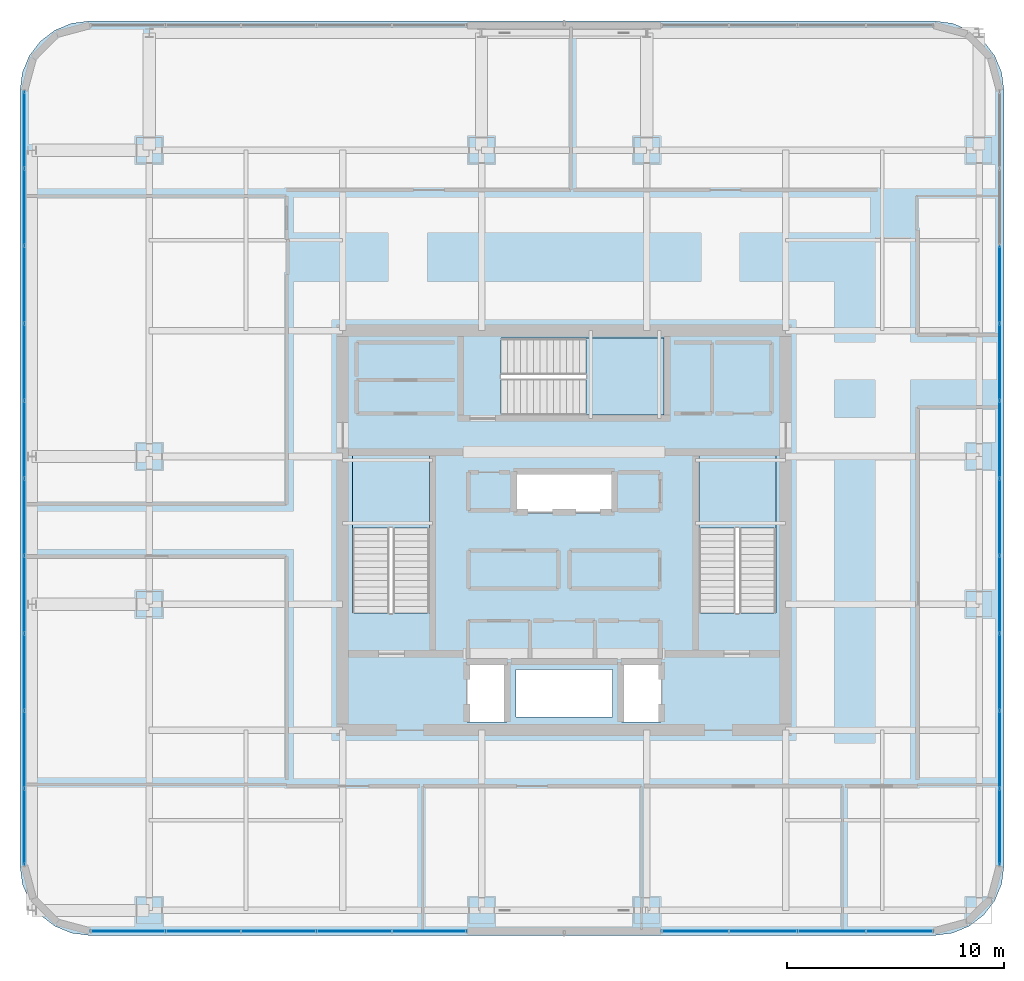
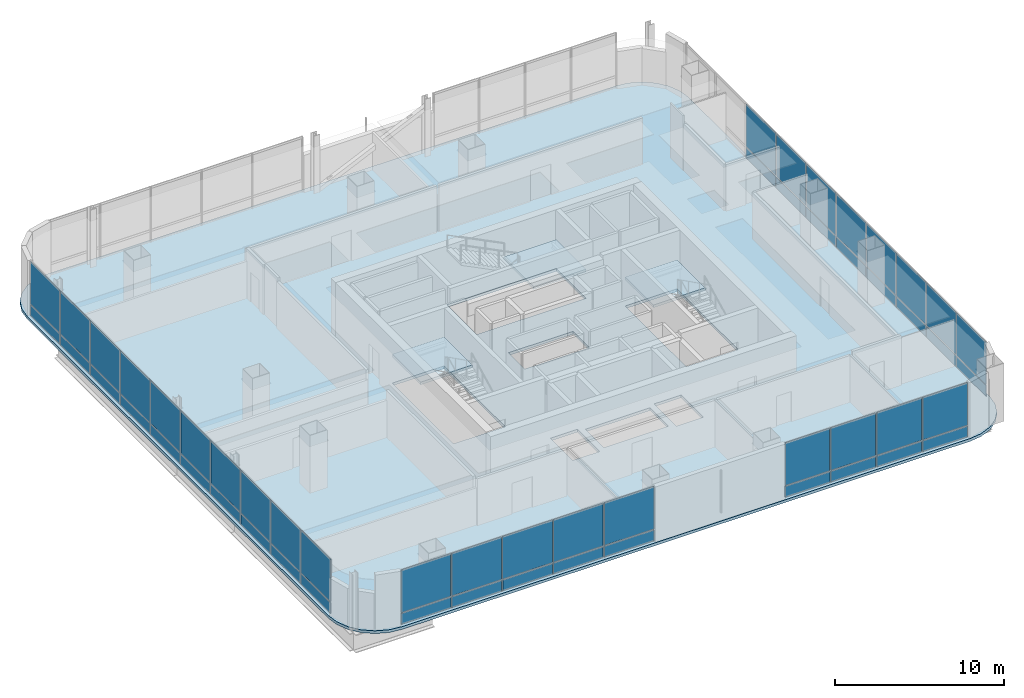
# One storey, part 29 of 43: 54 plates, 4 slabs, 7 elements without a shape of their own.
"""IFC4 building model written with IfcOpenShell, lengths in metres."""

from ifc_helpers import new_model, si_unit, direction, frame, origin, origin_2d, place, context, subcontext, project, spatial, polyline, rectangle, outline, extrude, material, layer, layer_set, type_object, element, aggregate, save


model = new_model("IFC4")

# Units and contexts
model_context = context("Model", 3, precision=1e-05, world=origin(), true_north=direction((0.0, 1.0)))
body_context = subcontext(model_context, "Body", "Model", "MODEL_VIEW")
ifc_project = project(units=[si_unit("LENGTHUNIT", "METRE"), si_unit("AREAUNIT", "SQUARE_METRE"), si_unit("VOLUMEUNIT", "CUBIC_METRE"), si_unit("PLANEANGLEUNIT", "RADIAN"), si_unit("MASSUNIT", "GRAM", prefix="KILO")], contexts=[model_context])

# Site, building, storey
site_placement = place(None, origin())
site = spatial("IfcSite", under=ifc_project, at=site_placement, CompositionType="ELEMENT")
building_placement = place(site_placement, origin())
building = spatial("IfcBuilding", under=site, at=building_placement, Name="Punatoya Terracotta Tower", CompositionType="ELEMENT")
storey_placement = place(building_placement, frame((0.0, 0.0, 300.60009765625)))
storey = spatial("IfcBuildingStorey", under=building, at=storey_placement, Name="L71", CompositionType="ELEMENT", Elevation=300.60009765625)

# Curtain wall, plates
ifc_material_1 = material(Name="Aluminium 6063-T6 + Double Low-E Glass", Category="aluminium")
curtain_wall_type = type_object("IfcCurtainWallType", Name="CW-M3", PredefinedType="NOTDEFINED", material=ifc_material_1)
curtain_wall_1_placement = place(storey_placement, origin())
curtain_wall_1 = element("IfcCurtainWall", 1, at=curtain_wall_1_placement, inside=storey, type_object=curtain_wall_type, Name="L71 Curtain Wall CW-L71-S01-1", PredefinedType="NOTDEFINED")
ifc_material_2 = material(Name="Double Low-E Acoustic Vision Glass", Category="glass")
ifc_layer_1 = layer(ifc_material_2, 0.031982421875)
ifc_layer_set_1 = layer_set([ifc_layer_1], Name="Double Low-E Acoustic Vision Glass")
plate_type_1 = type_object("IfcPlateType", Name="PLT-GLZ-32", PredefinedType="CURTAIN_PANEL", material=ifc_layer_set_1)
plate_1_placement = place(storey_placement, frame((-20.09814453125, -18.449951171875, 0.8896484375), z_axis=(0.0, 0.0, 1.0), x_axis=(1.0, 0.0, 0.0)))
plate_1 = element("IfcPlate", 2, at=plate_1_placement, type_object=plate_type_1, Name="CW-L71-S01-1 Vision Glass Panel 1", PredefinedType="CURTAIN_PANEL", context=body_context, shape_type="SweptSolid", body=[
    extrude(rectangle(XDim=3.392333984375, YDim=0.031982421875, at=origin_2d()), origin(), (0.0, 0.0, 1.0), 3.070068359375),
])
plate_2_placement = place(storey_placement, frame((-16.620849609375, -18.449951171875, 0.8896484375), z_axis=(0.0, 0.0, 1.0), x_axis=(1.0, 0.0, 0.0)))
plate_2 = element("IfcPlate", 3, at=plate_2_placement, type_object=plate_type_1, Name="CW-L71-S01-1 Vision Glass Panel 2", PredefinedType="CURTAIN_PANEL", context=body_context, shape_type="SweptSolid", body=[
    extrude(rectangle(XDim=3.392333984375, YDim=0.031982421875, at=origin_2d()), origin(), (0.0, 0.0, 1.0), 3.070068359375),
])
plate_3_placement = place(storey_placement, frame((-13.143310546875, -18.449951171875, 0.8896484375), z_axis=(0.0, 0.0, 1.0), x_axis=(1.0, 0.0, 0.0)))
plate_3 = element("IfcPlate", 4, at=plate_3_placement, type_object=plate_type_1, Name="CW-L71-S01-1 Vision Glass Panel 3", PredefinedType="CURTAIN_PANEL", context=body_context, shape_type="SweptSolid", body=[
    extrude(rectangle(XDim=3.392333984375, YDim=0.031982421875, at=origin_2d()), origin(), (0.0, 0.0, 1.0), 3.070068359375),
])
plate_4_placement = place(storey_placement, frame((-9.666015625, -18.449951171875, 0.8896484375), z_axis=(0.0, 0.0, 1.0), x_axis=(1.0, 0.0, 0.0)))
plate_4 = element("IfcPlate", 5, at=plate_4_placement, type_object=plate_type_1, Name="CW-L71-S01-1 Vision Glass Panel 4", PredefinedType="CURTAIN_PANEL", context=body_context, shape_type="SweptSolid", body=[
    extrude(rectangle(XDim=3.392333984375, YDim=0.031982421875, at=origin_2d()), origin(), (0.0, 0.0, 1.0), 3.070068359375),
])
plate_5_placement = place(storey_placement, frame((-6.188720703125, -18.449951171875, 0.8896484375), z_axis=(0.0, 0.0, 1.0), x_axis=(1.0, 0.0, 0.0)))
plate_5 = element("IfcPlate", 6, at=plate_5_placement, type_object=plate_type_1, Name="CW-L71-S01-1 Vision Glass Panel 5", PredefinedType="CURTAIN_PANEL", context=body_context, shape_type="SweptSolid", body=[
    extrude(rectangle(XDim=3.392333984375, YDim=0.031982421875, at=origin_2d()), origin(), (0.0, 0.0, 1.0), 3.070068359375),
])

curtain_wall_2_placement = place(storey_placement, origin())
curtain_wall_2 = element("IfcCurtainWall", 7, at=curtain_wall_2_placement, inside=storey, type_object=curtain_wall_type, Name="L71 Curtain Wall CW-L71-S01-2", PredefinedType="NOTDEFINED")
plate_6_placement = place(storey_placement, frame((6.0234375, -18.449951171875, 0.8896484375), z_axis=(0.0, 0.0, 1.0), x_axis=(1.0, 0.0, 0.0)))
plate_6 = element("IfcPlate", 8, at=plate_6_placement, type_object=plate_type_1, Name="CW-L71-S01-2 Vision Glass Panel 1", PredefinedType="CURTAIN_PANEL", context=body_context, shape_type="SweptSolid", body=[
    extrude(rectangle(XDim=3.061767578125, YDim=0.031982421875, at=origin_2d()), origin(), (0.0, 0.0, 1.0), 3.070068359375),
])
plate_7_placement = place(storey_placement, frame((9.170166015625, -18.449951171875, 0.8896484375), z_axis=(0.0, 0.0, 1.0), x_axis=(1.0, 0.0, 0.0)))
plate_7 = element("IfcPlate", 9, at=plate_7_placement, type_object=plate_type_1, Name="CW-L71-S01-2 Vision Glass Panel 2", PredefinedType="CURTAIN_PANEL", context=body_context, shape_type="SweptSolid", body=[
    extrude(rectangle(XDim=3.061767578125, YDim=0.031982421875, at=origin_2d()), origin(), (0.0, 0.0, 1.0), 3.070068359375),
])
plate_8_placement = place(storey_placement, frame((12.31689453125, -18.449951171875, 0.8896484375), z_axis=(0.0, 0.0, 1.0), x_axis=(1.0, 0.0, 0.0)))
plate_8 = element("IfcPlate", 10, at=plate_8_placement, type_object=plate_type_1, Name="CW-L71-S01-2 Vision Glass Panel 3", PredefinedType="CURTAIN_PANEL", context=body_context, shape_type="SweptSolid", body=[
    extrude(rectangle(XDim=3.061767578125, YDim=0.031982421875, at=origin_2d()), origin(), (0.0, 0.0, 1.0), 3.070068359375),
])
plate_9_placement = place(storey_placement, frame((15.46337890625, -18.449951171875, 0.8896484375), z_axis=(0.0, 0.0, 1.0), x_axis=(1.0, 0.0, 0.0)))
plate_9 = element("IfcPlate", 11, at=plate_9_placement, type_object=plate_type_1, Name="CW-L71-S01-2 Vision Glass Panel 4", PredefinedType="CURTAIN_PANEL", context=body_context, shape_type="SweptSolid", body=[
    extrude(rectangle(XDim=3.061767578125, YDim=0.031982421875, at=origin_2d()), origin(), (0.0, 0.0, 1.0), 3.070068359375),
])

curtain_wall_3_placement = place(storey_placement, origin())
curtain_wall_3 = element("IfcCurtainWall", 12, at=curtain_wall_3_placement, inside=storey, type_object=curtain_wall_type, Name="L71 Curtain Wall CW-L71-E05-1", PredefinedType="NOTDEFINED")
plate_10_placement = place(storey_placement, frame((20.050048828125, -13.6533203125, 0.8896484375), z_axis=(0.0, 0.0, 1.0), x_axis=(0.0, 1.0, 0.0)))
plate_10 = element("IfcPlate", 13, at=plate_10_placement, type_object=plate_type_1, Name="CW-L71-E05-1 Vision Glass Panel 1", PredefinedType="CURTAIN_PANEL", context=body_context, shape_type="SweptSolid", body=[
    extrude(rectangle(XDim=3.482421875, YDim=0.031982421875, at=origin_2d()), origin(), (0.0, 0.0, 1.0), 3.070068359375),
])
plate_11_placement = place(storey_placement, frame((20.050048828125, -10.085693359375, 0.8896484375), z_axis=(0.0, 0.0, 1.0), x_axis=(0.0, 1.0, 0.0)))
plate_11 = element("IfcPlate", 14, at=plate_11_placement, type_object=plate_type_1, Name="CW-L71-E05-1 Vision Glass Panel 2", PredefinedType="CURTAIN_PANEL", context=body_context, shape_type="SweptSolid", body=[
    extrude(rectangle(XDim=3.482421875, YDim=0.031982421875, at=origin_2d()), origin(), (0.0, 0.0, 1.0), 3.070068359375),
])
plate_12_placement = place(storey_placement, frame((20.050048828125, -6.518310546875, 0.8896484375), z_axis=(0.0, 0.0, 1.0), x_axis=(0.0, 1.0, 0.0)))
plate_12 = element("IfcPlate", 15, at=plate_12_placement, type_object=plate_type_1, Name="CW-L71-E05-1 Vision Glass Panel 3", PredefinedType="CURTAIN_PANEL", context=body_context, shape_type="SweptSolid", body=[
    extrude(rectangle(XDim=3.482421875, YDim=0.031982421875, at=origin_2d()), origin(), (0.0, 0.0, 1.0), 3.070068359375),
])
plate_13_placement = place(storey_placement, frame((20.050048828125, -2.951171875, 0.8896484375), z_axis=(0.0, 0.0, 1.0), x_axis=(0.0, 1.0, 0.0)))
plate_13 = element("IfcPlate", 16, at=plate_13_placement, type_object=plate_type_1, Name="CW-L71-E05-1 Vision Glass Panel 4", PredefinedType="CURTAIN_PANEL", context=body_context, shape_type="SweptSolid", body=[
    extrude(rectangle(XDim=3.482421875, YDim=0.031982421875, at=origin_2d()), origin(), (0.0, 0.0, 1.0), 3.070068359375),
])
plate_14_placement = place(storey_placement, frame((20.050048828125, 0.6162109375, 0.8896484375), z_axis=(0.0, 0.0, 1.0), x_axis=(0.0, 1.0, 0.0)))
plate_14 = element("IfcPlate", 17, at=plate_14_placement, type_object=plate_type_1, Name="CW-L71-E05-1 Vision Glass Panel 5", PredefinedType="CURTAIN_PANEL", context=body_context, shape_type="SweptSolid", body=[
    extrude(rectangle(XDim=3.482421875, YDim=0.031982421875, at=origin_2d()), origin(), (0.0, 0.0, 1.0), 3.070068359375),
])
plate_15_placement = place(storey_placement, frame((20.050048828125, 4.18359375, 0.8896484375), z_axis=(0.0, 0.0, 1.0), x_axis=(0.0, 1.0, 0.0)))
plate_15 = element("IfcPlate", 18, at=plate_15_placement, type_object=plate_type_1, Name="CW-L71-E05-1 Vision Glass Panel 6", PredefinedType="CURTAIN_PANEL", context=body_context, shape_type="SweptSolid", body=[
    extrude(rectangle(XDim=3.482421875, YDim=0.031982421875, at=origin_2d()), origin(), (0.0, 0.0, 1.0), 3.070068359375),
])
plate_16_placement = place(storey_placement, frame((20.050048828125, 7.751220703125, 0.8896484375), z_axis=(0.0, 0.0, 1.0), x_axis=(0.0, 1.0, 0.0)))
plate_16 = element("IfcPlate", 19, at=plate_16_placement, type_object=plate_type_1, Name="CW-L71-E05-1 Vision Glass Panel 7", PredefinedType="CURTAIN_PANEL", context=body_context, shape_type="SweptSolid", body=[
    extrude(rectangle(XDim=3.482421875, YDim=0.031982421875, at=origin_2d()), origin(), (0.0, 0.0, 1.0), 3.070068359375),
])
plate_17_placement = place(storey_placement, frame((20.050048828125, 11.318359375, 0.8896484375), z_axis=(0.0, 0.0, 1.0), x_axis=(0.0, 1.0, 0.0)))
plate_17 = element("IfcPlate", 20, at=plate_17_placement, type_object=plate_type_1, Name="CW-L71-E05-1 Vision Glass Panel 8", PredefinedType="CURTAIN_PANEL", context=body_context, shape_type="SweptSolid", body=[
    extrude(rectangle(XDim=3.482421875, YDim=0.031982421875, at=origin_2d()), origin(), (0.0, 0.0, 1.0), 3.070068359375),
])

curtain_wall_4_placement = place(storey_placement, origin())
curtain_wall_4 = element("IfcCurtainWall", 21, at=curtain_wall_4_placement, inside=storey, type_object=curtain_wall_type, Name="L71 Curtain Wall CW-L71-W13-1", PredefinedType="NOTDEFINED")
plate_18_placement = place(storey_placement, frame((-24.85009765625, 18.453125, 0.8896484375), z_axis=(0.0, 0.0, 1.0), x_axis=(0.0, -1.0, 0.0)))
plate_18 = element("IfcPlate", 22, at=plate_18_placement, type_object=plate_type_1, Name="CW-L71-W13-1 Vision Glass Panel 1", PredefinedType="CURTAIN_PANEL", context=body_context, shape_type="SweptSolid", body=[
    extrude(rectangle(XDim=3.482421875, YDim=0.031982421875, at=origin_2d()), origin(), (0.0, 0.0, 1.0), 3.070068359375),
])
plate_19_placement = place(storey_placement, frame((-24.85009765625, 14.8857421875, 0.8896484375), z_axis=(0.0, 0.0, 1.0), x_axis=(0.0, -1.0, 0.0)))
plate_19 = element("IfcPlate", 23, at=plate_19_placement, type_object=plate_type_1, Name="CW-L71-W13-1 Vision Glass Panel 2", PredefinedType="CURTAIN_PANEL", context=body_context, shape_type="SweptSolid", body=[
    extrude(rectangle(XDim=3.482421875, YDim=0.031982421875, at=origin_2d()), origin(), (0.0, 0.0, 1.0), 3.070068359375),
])
plate_20_placement = place(storey_placement, frame((-24.85009765625, 11.318359375, 0.8896484375), z_axis=(0.0, 0.0, 1.0), x_axis=(0.0, -1.0, 0.0)))
plate_20 = element("IfcPlate", 24, at=plate_20_placement, type_object=plate_type_1, Name="CW-L71-W13-1 Vision Glass Panel 3", PredefinedType="CURTAIN_PANEL", context=body_context, shape_type="SweptSolid", body=[
    extrude(rectangle(XDim=3.482421875, YDim=0.031982421875, at=origin_2d()), origin(), (0.0, 0.0, 1.0), 3.070068359375),
])
plate_21_placement = place(storey_placement, frame((-24.85009765625, 7.751220703125, 0.8896484375), z_axis=(0.0, 0.0, 1.0), x_axis=(0.0, -1.0, 0.0)))
plate_21 = element("IfcPlate", 25, at=plate_21_placement, type_object=plate_type_1, Name="CW-L71-W13-1 Vision Glass Panel 4", PredefinedType="CURTAIN_PANEL", context=body_context, shape_type="SweptSolid", body=[
    extrude(rectangle(XDim=3.482421875, YDim=0.031982421875, at=origin_2d()), origin(), (0.0, 0.0, 1.0), 3.070068359375),
])
plate_22_placement = place(storey_placement, frame((-24.85009765625, 4.18359375, 0.8896484375), z_axis=(0.0, 0.0, 1.0), x_axis=(0.0, -1.0, 0.0)))
plate_22 = element("IfcPlate", 26, at=plate_22_placement, type_object=plate_type_1, Name="CW-L71-W13-1 Vision Glass Panel 5", PredefinedType="CURTAIN_PANEL", context=body_context, shape_type="SweptSolid", body=[
    extrude(rectangle(XDim=3.482421875, YDim=0.031982421875, at=origin_2d()), origin(), (0.0, 0.0, 1.0), 3.070068359375),
])
plate_23_placement = place(storey_placement, frame((-24.85009765625, 0.6162109375, 0.8896484375), z_axis=(0.0, 0.0, 1.0), x_axis=(0.0, -1.0, 0.0)))
plate_23 = element("IfcPlate", 27, at=plate_23_placement, type_object=plate_type_1, Name="CW-L71-W13-1 Vision Glass Panel 6", PredefinedType="CURTAIN_PANEL", context=body_context, shape_type="SweptSolid", body=[
    extrude(rectangle(XDim=3.482421875, YDim=0.031982421875, at=origin_2d()), origin(), (0.0, 0.0, 1.0), 3.070068359375),
])
plate_24_placement = place(storey_placement, frame((-24.85009765625, -2.951171875, 0.8896484375), z_axis=(0.0, 0.0, 1.0), x_axis=(0.0, -1.0, 0.0)))
plate_24 = element("IfcPlate", 28, at=plate_24_placement, type_object=plate_type_1, Name="CW-L71-W13-1 Vision Glass Panel 7", PredefinedType="CURTAIN_PANEL", context=body_context, shape_type="SweptSolid", body=[
    extrude(rectangle(XDim=3.482421875, YDim=0.031982421875, at=origin_2d()), origin(), (0.0, 0.0, 1.0), 3.070068359375),
])
plate_25_placement = place(storey_placement, frame((-24.85009765625, -6.518310546875, 0.8896484375), z_axis=(0.0, 0.0, 1.0), x_axis=(0.0, -1.0, 0.0)))
plate_25 = element("IfcPlate", 29, at=plate_25_placement, type_object=plate_type_1, Name="CW-L71-W13-1 Vision Glass Panel 8", PredefinedType="CURTAIN_PANEL", context=body_context, shape_type="SweptSolid", body=[
    extrude(rectangle(XDim=3.482421875, YDim=0.031982421875, at=origin_2d()), origin(), (0.0, 0.0, 1.0), 3.070068359375),
])
plate_26_placement = place(storey_placement, frame((-24.85009765625, -10.085693359375, 0.8896484375), z_axis=(0.0, 0.0, 1.0), x_axis=(0.0, -1.0, 0.0)))
plate_26 = element("IfcPlate", 30, at=plate_26_placement, type_object=plate_type_1, Name="CW-L71-W13-1 Vision Glass Panel 9", PredefinedType="CURTAIN_PANEL", context=body_context, shape_type="SweptSolid", body=[
    extrude(rectangle(XDim=3.482421875, YDim=0.031982421875, at=origin_2d()), origin(), (0.0, 0.0, 1.0), 3.070068359375),
])
plate_27_placement = place(storey_placement, frame((-24.85009765625, -13.6533203125, 0.8896484375), z_axis=(0.0, 0.0, 1.0), x_axis=(0.0, -1.0, 0.0)))
plate_27 = element("IfcPlate", 31, at=plate_27_placement, type_object=plate_type_1, Name="CW-L71-W13-1 Vision Glass Panel 10", PredefinedType="CURTAIN_PANEL", context=body_context, shape_type="SweptSolid", body=[
    extrude(rectangle(XDim=3.482421875, YDim=0.031982421875, at=origin_2d()), origin(), (0.0, 0.0, 1.0), 3.070068359375),
])

# Plate
ifc_material_3 = material(Name="Insulated Terracotta-Backed Spandrel Panel", Category="masonry")
ifc_layer_2 = layer(ifc_material_3, 0.044921875)
ifc_layer_set_2 = layer_set([ifc_layer_2], Name="Insulated Terracotta-Backed Spandrel Panel")
plate_type_2 = type_object("IfcPlateType", Name="PLT-SPN-45", PredefinedType="CURTAIN_PANEL", material=ifc_layer_set_2)
plate_28_placement = place(storey_placement, frame((-20.09814453125, -18.449951171875, 0.0400390625), z_axis=(0.0, 0.0, 1.0), x_axis=(1.0, 0.0, 0.0)))
plate_28 = element("IfcPlate", 32, at=plate_28_placement, type_object=plate_type_2, Name="CW-L71-S01-1 Terracotta Spandrel Panel 1", PredefinedType="CURTAIN_PANEL", context=body_context, shape_type="SweptSolid", body=[
    extrude(rectangle(XDim=3.392333984375, YDim=0.044921875, at=origin_2d()), origin(), (0.0, 0.0, 1.0), 0.77490234375),
])

plate_29_placement = place(storey_placement, frame((-16.620849609375, -18.449951171875, 0.0400390625), z_axis=(0.0, 0.0, 1.0), x_axis=(1.0, 0.0, 0.0)))
plate_29 = element("IfcPlate", 33, at=plate_29_placement, type_object=plate_type_2, Name="CW-L71-S01-1 Terracotta Spandrel Panel 2", PredefinedType="CURTAIN_PANEL", context=body_context, shape_type="SweptSolid", body=[
    extrude(rectangle(XDim=3.392333984375, YDim=0.044921875, at=origin_2d()), origin(), (0.0, 0.0, 1.0), 0.77490234375),
])

plate_30_placement = place(storey_placement, frame((-13.143310546875, -18.449951171875, 0.0400390625), z_axis=(0.0, 0.0, 1.0), x_axis=(1.0, 0.0, 0.0)))
plate_30 = element("IfcPlate", 34, at=plate_30_placement, type_object=plate_type_2, Name="CW-L71-S01-1 Terracotta Spandrel Panel 3", PredefinedType="CURTAIN_PANEL", context=body_context, shape_type="SweptSolid", body=[
    extrude(rectangle(XDim=3.392333984375, YDim=0.044921875, at=origin_2d()), origin(), (0.0, 0.0, 1.0), 0.77490234375),
])

plate_31_placement = place(storey_placement, frame((-9.666015625, -18.449951171875, 0.0400390625), z_axis=(0.0, 0.0, 1.0), x_axis=(1.0, 0.0, 0.0)))
plate_31 = element("IfcPlate", 35, at=plate_31_placement, type_object=plate_type_2, Name="CW-L71-S01-1 Terracotta Spandrel Panel 4", PredefinedType="CURTAIN_PANEL", context=body_context, shape_type="SweptSolid", body=[
    extrude(rectangle(XDim=3.392333984375, YDim=0.044921875, at=origin_2d()), origin(), (0.0, 0.0, 1.0), 0.77490234375),
])

plate_32_placement = place(storey_placement, frame((-6.188720703125, -18.449951171875, 0.0400390625), z_axis=(0.0, 0.0, 1.0), x_axis=(1.0, 0.0, 0.0)))
plate_32 = element("IfcPlate", 36, at=plate_32_placement, type_object=plate_type_2, Name="CW-L71-S01-1 Terracotta Spandrel Panel 5", PredefinedType="CURTAIN_PANEL", context=body_context, shape_type="SweptSolid", body=[
    extrude(rectangle(XDim=3.392333984375, YDim=0.044921875, at=origin_2d()), origin(), (0.0, 0.0, 1.0), 0.77490234375),
])

aggregate(curtain_wall_1, [plate_28, plate_1, plate_29, plate_2, plate_30, plate_3, plate_31, plate_4, plate_32, plate_5])

plate_33_placement = place(storey_placement, frame((6.0234375, -18.449951171875, 0.0400390625), z_axis=(0.0, 0.0, 1.0), x_axis=(1.0, 0.0, 0.0)))
plate_33 = element("IfcPlate", 37, at=plate_33_placement, type_object=plate_type_2, Name="CW-L71-S01-2 Terracotta Spandrel Panel 1", PredefinedType="CURTAIN_PANEL", context=body_context, shape_type="SweptSolid", body=[
    extrude(rectangle(XDim=3.061767578125, YDim=0.044921875, at=origin_2d()), origin(), (0.0, 0.0, 1.0), 0.77490234375),
])

plate_34_placement = place(storey_placement, frame((9.170166015625, -18.449951171875, 0.0400390625), z_axis=(0.0, 0.0, 1.0), x_axis=(1.0, 0.0, 0.0)))
plate_34 = element("IfcPlate", 38, at=plate_34_placement, type_object=plate_type_2, Name="CW-L71-S01-2 Terracotta Spandrel Panel 2", PredefinedType="CURTAIN_PANEL", context=body_context, shape_type="SweptSolid", body=[
    extrude(rectangle(XDim=3.061767578125, YDim=0.044921875, at=origin_2d()), origin(), (0.0, 0.0, 1.0), 0.77490234375),
])

plate_35_placement = place(storey_placement, frame((12.31689453125, -18.449951171875, 0.0400390625), z_axis=(0.0, 0.0, 1.0), x_axis=(1.0, 0.0, 0.0)))
plate_35 = element("IfcPlate", 39, at=plate_35_placement, type_object=plate_type_2, Name="CW-L71-S01-2 Terracotta Spandrel Panel 3", PredefinedType="CURTAIN_PANEL", context=body_context, shape_type="SweptSolid", body=[
    extrude(rectangle(XDim=3.061767578125, YDim=0.044921875, at=origin_2d()), origin(), (0.0, 0.0, 1.0), 0.77490234375),
])

plate_36_placement = place(storey_placement, frame((15.46337890625, -18.449951171875, 0.0400390625), z_axis=(0.0, 0.0, 1.0), x_axis=(1.0, 0.0, 0.0)))
plate_36 = element("IfcPlate", 40, at=plate_36_placement, type_object=plate_type_2, Name="CW-L71-S01-2 Terracotta Spandrel Panel 4", PredefinedType="CURTAIN_PANEL", context=body_context, shape_type="SweptSolid", body=[
    extrude(rectangle(XDim=3.061767578125, YDim=0.044921875, at=origin_2d()), origin(), (0.0, 0.0, 1.0), 0.77490234375),
])

aggregate(curtain_wall_2, [plate_33, plate_6, plate_34, plate_7, plate_35, plate_8, plate_36, plate_9])

plate_37_placement = place(storey_placement, frame((20.050048828125, -13.6533203125, 0.0400390625), z_axis=(0.0, 0.0, 1.0), x_axis=(0.0, 1.0, 0.0)))
plate_37 = element("IfcPlate", 41, at=plate_37_placement, type_object=plate_type_2, Name="CW-L71-E05-1 Terracotta Spandrel Panel 1", PredefinedType="CURTAIN_PANEL", context=body_context, shape_type="SweptSolid", body=[
    extrude(rectangle(XDim=3.482421875, YDim=0.044921875, at=origin_2d()), origin(), (0.0, 0.0, 1.0), 0.77490234375),
])

plate_38_placement = place(storey_placement, frame((20.050048828125, -10.085693359375, 0.0400390625), z_axis=(0.0, 0.0, 1.0), x_axis=(0.0, 1.0, 0.0)))
plate_38 = element("IfcPlate", 42, at=plate_38_placement, type_object=plate_type_2, Name="CW-L71-E05-1 Terracotta Spandrel Panel 2", PredefinedType="CURTAIN_PANEL", context=body_context, shape_type="SweptSolid", body=[
    extrude(rectangle(XDim=3.482421875, YDim=0.044921875, at=origin_2d()), origin(), (0.0, 0.0, 1.0), 0.77490234375),
])

plate_39_placement = place(storey_placement, frame((20.050048828125, -6.518310546875, 0.0400390625), z_axis=(0.0, 0.0, 1.0), x_axis=(0.0, 1.0, 0.0)))
plate_39 = element("IfcPlate", 43, at=plate_39_placement, type_object=plate_type_2, Name="CW-L71-E05-1 Terracotta Spandrel Panel 3", PredefinedType="CURTAIN_PANEL", context=body_context, shape_type="SweptSolid", body=[
    extrude(rectangle(XDim=3.482421875, YDim=0.044921875, at=origin_2d()), origin(), (0.0, 0.0, 1.0), 0.77490234375),
])

plate_40_placement = place(storey_placement, frame((20.050048828125, -2.951171875, 0.0400390625), z_axis=(0.0, 0.0, 1.0), x_axis=(0.0, 1.0, 0.0)))
plate_40 = element("IfcPlate", 44, at=plate_40_placement, type_object=plate_type_2, Name="CW-L71-E05-1 Terracotta Spandrel Panel 4", PredefinedType="CURTAIN_PANEL", context=body_context, shape_type="SweptSolid", body=[
    extrude(rectangle(XDim=3.482421875, YDim=0.044921875, at=origin_2d()), origin(), (0.0, 0.0, 1.0), 0.77490234375),
])

plate_41_placement = place(storey_placement, frame((20.050048828125, 0.6162109375, 0.0400390625), z_axis=(0.0, 0.0, 1.0), x_axis=(0.0, 1.0, 0.0)))
plate_41 = element("IfcPlate", 45, at=plate_41_placement, type_object=plate_type_2, Name="CW-L71-E05-1 Terracotta Spandrel Panel 5", PredefinedType="CURTAIN_PANEL", context=body_context, shape_type="SweptSolid", body=[
    extrude(rectangle(XDim=3.482421875, YDim=0.044921875, at=origin_2d()), origin(), (0.0, 0.0, 1.0), 0.77490234375),
])

plate_42_placement = place(storey_placement, frame((20.050048828125, 4.18359375, 0.0400390625), z_axis=(0.0, 0.0, 1.0), x_axis=(0.0, 1.0, 0.0)))
plate_42 = element("IfcPlate", 46, at=plate_42_placement, type_object=plate_type_2, Name="CW-L71-E05-1 Terracotta Spandrel Panel 6", PredefinedType="CURTAIN_PANEL", context=body_context, shape_type="SweptSolid", body=[
    extrude(rectangle(XDim=3.482421875, YDim=0.044921875, at=origin_2d()), origin(), (0.0, 0.0, 1.0), 0.77490234375),
])

plate_43_placement = place(storey_placement, frame((20.050048828125, 7.751220703125, 0.0400390625), z_axis=(0.0, 0.0, 1.0), x_axis=(0.0, 1.0, 0.0)))
plate_43 = element("IfcPlate", 47, at=plate_43_placement, type_object=plate_type_2, Name="CW-L71-E05-1 Terracotta Spandrel Panel 7", PredefinedType="CURTAIN_PANEL", context=body_context, shape_type="SweptSolid", body=[
    extrude(rectangle(XDim=3.482421875, YDim=0.044921875, at=origin_2d()), origin(), (0.0, 0.0, 1.0), 0.77490234375),
])

plate_44_placement = place(storey_placement, frame((20.050048828125, 11.318359375, 0.0400390625), z_axis=(0.0, 0.0, 1.0), x_axis=(0.0, 1.0, 0.0)))
plate_44 = element("IfcPlate", 48, at=plate_44_placement, type_object=plate_type_2, Name="CW-L71-E05-1 Terracotta Spandrel Panel 8", PredefinedType="CURTAIN_PANEL", context=body_context, shape_type="SweptSolid", body=[
    extrude(rectangle(XDim=3.482421875, YDim=0.044921875, at=origin_2d()), origin(), (0.0, 0.0, 1.0), 0.77490234375),
])

aggregate(curtain_wall_3, [plate_37, plate_10, plate_38, plate_11, plate_39, plate_12, plate_40, plate_13, plate_41, plate_14, plate_42, plate_15, plate_43, plate_16, plate_44, plate_17])

plate_45_placement = place(storey_placement, frame((-24.85009765625, 18.453125, 0.0400390625), z_axis=(0.0, 0.0, 1.0), x_axis=(0.0, -1.0, 0.0)))
plate_45 = element("IfcPlate", 49, at=plate_45_placement, type_object=plate_type_2, Name="CW-L71-W13-1 Terracotta Spandrel Panel 1", PredefinedType="CURTAIN_PANEL", context=body_context, shape_type="SweptSolid", body=[
    extrude(rectangle(XDim=3.482421875, YDim=0.044921875, at=origin_2d()), origin(), (0.0, 0.0, 1.0), 0.77490234375),
])

plate_46_placement = place(storey_placement, frame((-24.85009765625, 14.8857421875, 0.0400390625), z_axis=(0.0, 0.0, 1.0), x_axis=(0.0, -1.0, 0.0)))
plate_46 = element("IfcPlate", 50, at=plate_46_placement, type_object=plate_type_2, Name="CW-L71-W13-1 Terracotta Spandrel Panel 2", PredefinedType="CURTAIN_PANEL", context=body_context, shape_type="SweptSolid", body=[
    extrude(rectangle(XDim=3.482421875, YDim=0.044921875, at=origin_2d()), origin(), (0.0, 0.0, 1.0), 0.77490234375),
])

plate_47_placement = place(storey_placement, frame((-24.85009765625, 11.318359375, 0.0400390625), z_axis=(0.0, 0.0, 1.0), x_axis=(0.0, -1.0, 0.0)))
plate_47 = element("IfcPlate", 51, at=plate_47_placement, type_object=plate_type_2, Name="CW-L71-W13-1 Terracotta Spandrel Panel 3", PredefinedType="CURTAIN_PANEL", context=body_context, shape_type="SweptSolid", body=[
    extrude(rectangle(XDim=3.482421875, YDim=0.044921875, at=origin_2d()), origin(), (0.0, 0.0, 1.0), 0.77490234375),
])

plate_48_placement = place(storey_placement, frame((-24.85009765625, 7.751220703125, 0.0400390625), z_axis=(0.0, 0.0, 1.0), x_axis=(0.0, -1.0, 0.0)))
plate_48 = element("IfcPlate", 52, at=plate_48_placement, type_object=plate_type_2, Name="CW-L71-W13-1 Terracotta Spandrel Panel 4", PredefinedType="CURTAIN_PANEL", context=body_context, shape_type="SweptSolid", body=[
    extrude(rectangle(XDim=3.482421875, YDim=0.044921875, at=origin_2d()), origin(), (0.0, 0.0, 1.0), 0.77490234375),
])

plate_49_placement = place(storey_placement, frame((-24.85009765625, 4.18359375, 0.0400390625), z_axis=(0.0, 0.0, 1.0), x_axis=(0.0, -1.0, 0.0)))
plate_49 = element("IfcPlate", 53, at=plate_49_placement, type_object=plate_type_2, Name="CW-L71-W13-1 Terracotta Spandrel Panel 5", PredefinedType="CURTAIN_PANEL", context=body_context, shape_type="SweptSolid", body=[
    extrude(rectangle(XDim=3.482421875, YDim=0.044921875, at=origin_2d()), origin(), (0.0, 0.0, 1.0), 0.77490234375),
])

plate_50_placement = place(storey_placement, frame((-24.85009765625, 0.6162109375, 0.0400390625), z_axis=(0.0, 0.0, 1.0), x_axis=(0.0, -1.0, 0.0)))
plate_50 = element("IfcPlate", 54, at=plate_50_placement, type_object=plate_type_2, Name="CW-L71-W13-1 Terracotta Spandrel Panel 6", PredefinedType="CURTAIN_PANEL", context=body_context, shape_type="SweptSolid", body=[
    extrude(rectangle(XDim=3.482421875, YDim=0.044921875, at=origin_2d()), origin(), (0.0, 0.0, 1.0), 0.77490234375),
])

plate_51_placement = place(storey_placement, frame((-24.85009765625, -2.951171875, 0.0400390625), z_axis=(0.0, 0.0, 1.0), x_axis=(0.0, -1.0, 0.0)))
plate_51 = element("IfcPlate", 55, at=plate_51_placement, type_object=plate_type_2, Name="CW-L71-W13-1 Terracotta Spandrel Panel 7", PredefinedType="CURTAIN_PANEL", context=body_context, shape_type="SweptSolid", body=[
    extrude(rectangle(XDim=3.482421875, YDim=0.044921875, at=origin_2d()), origin(), (0.0, 0.0, 1.0), 0.77490234375),
])

plate_52_placement = place(storey_placement, frame((-24.85009765625, -6.518310546875, 0.0400390625), z_axis=(0.0, 0.0, 1.0), x_axis=(0.0, -1.0, 0.0)))
plate_52 = element("IfcPlate", 56, at=plate_52_placement, type_object=plate_type_2, Name="CW-L71-W13-1 Terracotta Spandrel Panel 8", PredefinedType="CURTAIN_PANEL", context=body_context, shape_type="SweptSolid", body=[
    extrude(rectangle(XDim=3.482421875, YDim=0.044921875, at=origin_2d()), origin(), (0.0, 0.0, 1.0), 0.77490234375),
])

plate_53_placement = place(storey_placement, frame((-24.85009765625, -10.085693359375, 0.0400390625), z_axis=(0.0, 0.0, 1.0), x_axis=(0.0, -1.0, 0.0)))
plate_53 = element("IfcPlate", 57, at=plate_53_placement, type_object=plate_type_2, Name="CW-L71-W13-1 Terracotta Spandrel Panel 9", PredefinedType="CURTAIN_PANEL", context=body_context, shape_type="SweptSolid", body=[
    extrude(rectangle(XDim=3.482421875, YDim=0.044921875, at=origin_2d()), origin(), (0.0, 0.0, 1.0), 0.77490234375),
])

plate_54_placement = place(storey_placement, frame((-24.85009765625, -13.6533203125, 0.0400390625), z_axis=(0.0, 0.0, 1.0), x_axis=(0.0, -1.0, 0.0)))
plate_54 = element("IfcPlate", 58, at=plate_54_placement, type_object=plate_type_2, Name="CW-L71-W13-1 Terracotta Spandrel Panel 10", PredefinedType="CURTAIN_PANEL", context=body_context, shape_type="SweptSolid", body=[
    extrude(rectangle(XDim=3.482421875, YDim=0.044921875, at=origin_2d()), origin(), (0.0, 0.0, 1.0), 0.77490234375),
])

aggregate(curtain_wall_4, [plate_45, plate_18, plate_46, plate_19, plate_47, plate_20, plate_48, plate_21, plate_49, plate_22, plate_50, plate_23, plate_51, plate_24, plate_52, plate_25, plate_53, plate_26, plate_54, plate_27])

# Stair, slab
ifc_material_4 = material(Name="Concrete C40/50", Category="concrete")
stair_type_1 = type_object("IfcStairType", Name="STR-TER-1450", PredefinedType="HALF_TURN_STAIR", material=ifc_material_4)
stair_1_placement = place(storey_placement, origin())
stair_1 = element("IfcStair", 59, at=stair_1_placement, inside=storey, type_object=stair_type_1, Name="L71 Protected Core Exit Stair ST-3", PredefinedType="HALF_TURN_STAIR")
ifc_layer_3 = layer(ifc_material_4, 0.1650390625)
ifc_layer_set_3 = layer_set([ifc_layer_3], Name="Concrete C40/50")
slab_type_1 = type_object("IfcSlabType", Name="SLB-LND-165", PredefinedType="LANDING", material=ifc_layer_set_3)
slab_1_placement = place(storey_placement, frame((0.0, 0.0, 1.89990234375)))
slab_1 = element("IfcSlab", 60, at=slab_1_placement, type_object=slab_type_1, Name="ST-3 landing 1", PredefinedType="LANDING", context=body_context, shape_type="SweptSolid", body=[
    extrude(outline(polyline([(1.0, 5.300048828125), (4.60009765625, 5.300048828125), (4.60009765625, 8.85009765625), (1.0, 8.85009765625), (1.0, 5.300048828125)])), origin(), (0.0, 0.0, 1.0), 0.199951171875),
])
aggregate(stair_1, [slab_1])

stair_type_2 = type_object("IfcStairType", Name="STR-CORE-1550", PredefinedType="HALF_TURN_STAIR", material=ifc_material_4)
stair_2_placement = place(storey_placement, origin())
stair_2 = element("IfcStair", 61, at=stair_2_placement, inside=storey, type_object=stair_type_2, Name="L71 Protected Core Exit Stair ST-1", PredefinedType="HALF_TURN_STAIR")
ifc_layer_4 = layer(ifc_material_4, 0.179931640625)
ifc_layer_set_4 = layer_set([ifc_layer_4], Name="Concrete C40/50")
slab_type_2 = type_object("IfcSlabType", Name="SLB-LND-180", PredefinedType="LANDING", material=ifc_layer_set_4)
slab_2_placement = place(storey_placement, frame((0.0, 0.0, 1.89990234375)))
slab_2 = element("IfcSlab", 62, at=slab_2_placement, type_object=slab_type_2, Name="ST-1 landing 1", PredefinedType="LANDING", context=body_context, shape_type="SweptSolid", body=[
    extrude(outline(polyline([(-6.199951171875, 0.10009765625), (-6.199951171875, 3.449951171875), (-9.75, 3.449951171875), (-9.75, 0.10009765625), (-6.199951171875, 0.10009765625)])), origin(), (0.0, 0.0, 1.0), 0.199951171875),
])
aggregate(stair_2, [slab_2])

stair_type_3 = type_object("IfcStairType", Name="STR-LOB-1650", PredefinedType="HALF_TURN_STAIR", material=ifc_material_4)
stair_3_placement = place(storey_placement, origin())
stair_3 = element("IfcStair", 63, at=stair_3_placement, inside=storey, type_object=stair_type_3, Name="L71 Protected Core Exit Stair ST-2", PredefinedType="HALF_TURN_STAIR")
slab_3_placement = place(storey_placement, frame((0.0, 0.0, 1.89990234375)))
slab_3 = element("IfcSlab", 64, at=slab_3_placement, type_object=slab_type_2, Name="ST-2 landing 1", PredefinedType="LANDING", context=body_context, shape_type="SweptSolid", body=[
    extrude(outline(polyline([(9.75, 0.10009765625), (9.75, 3.449951171875), (6.199951171875, 3.449951171875), (6.199951171875, 0.10009765625), (9.75, 0.10009765625)])), origin(), (0.0, 0.0, 1.0), 0.199951171875),
])
aggregate(stair_3, [slab_3])

# Slab
ifc_layer_5 = layer(ifc_material_4, 0.199951171875)
ifc_layer_set_5 = layer_set([ifc_layer_5], Name="Concrete C40/50")
slab_type_3 = type_object("IfcSlabType", Name="SLB-OFF-200", PredefinedType="FLOOR", material=ifc_layer_set_5)
slab_4_placement = place(storey_placement, frame((0.0, 0.0, -0.2001953125)))
element("IfcSlab", 65, at=slab_4_placement, inside=storey, type_object=slab_type_3, Name="L71 Structural Floor Slab", PredefinedType="FLOOR", context=body_context, shape_type="SweptSolid", body=[
    extrude(outline(polyline([(-21.85009765625, -18.64990234375), (-22.67822265625, -18.541015625), (-23.449951171875, -18.22119140625), (-24.11279296875, -17.712646484375), (-24.621337890625, -17.050048828125), (-24.94091796875, -16.2783203125), (-25.050048828125, -15.449951171875), (-25.050048828125, 20.25), (-24.94091796875, 21.078125), (-24.621337890625, 21.85009765625), (-24.11279296875, 22.5126953125), (-23.449951171875, 23.021240234375), (-22.67822265625, 23.341064453125), (-21.85009765625, 23.449951171875), (17.050048828125, 23.449951171875), (17.878173828125, 23.341064453125), (18.64990234375, 23.021240234375), (19.312744140625, 22.5126953125), (19.8212890625, 21.85009765625), (20.14111328125, 21.078125), (20.25, 20.25), (20.25, -15.449951171875), (20.14111328125, -16.2783203125), (19.8212890625, -17.050048828125), (19.312744140625, -17.712646484375), (18.64990234375, -18.22119140625), (17.878173828125, -18.541015625), (17.050048828125, -18.64990234375), (-21.85009765625, -18.64990234375)]), holes=[polyline([(-2.6298828125, -6.179931640625), (-4.469970703125, -6.179931640625), (-4.469970703125, -8.820068359375), (-2.6298828125, -8.820068359375), (-2.6298828125, -6.179931640625)]), polyline([(-0.02001953125, -6.405029296875), (-2.219970703125, -6.405029296875), (-2.219970703125, -8.594970703125), (-0.02001953125, -8.594970703125), (0.02001953125, -8.594970703125), (2.219970703125, -8.594970703125), (2.219970703125, -6.405029296875), (0.02001953125, -6.405029296875), (-0.02001953125, -6.405029296875)]), polyline([(4.469970703125, -6.179931640625), (2.6298828125, -6.179931640625), (2.6298828125, -8.820068359375), (4.469970703125, -8.820068359375), (4.469970703125, -6.179931640625)]), polyline([(-9.75, 3.449951171875), (-9.75, -3.79931640625), (-6.199951171875, -3.79931640625), (-6.199951171875, 3.449951171875), (-9.75, 3.449951171875)]), polyline([(6.199951171875, 3.449951171875), (6.199951171875, -3.79931640625), (9.75, -3.79931640625), (9.75, 3.449951171875), (6.199951171875, 3.449951171875)]), polyline([(-2.219970703125, 2.719970703125), (-2.219970703125, 0.780029296875), (-0.02001953125, 0.780029296875), (0.02001953125, 0.780029296875), (2.219970703125, 0.780029296875), (2.219970703125, 2.719970703125), (0.02001953125, 2.719970703125), (-0.02001953125, 2.719970703125), (-2.219970703125, 2.719970703125)]), polyline([(4.60009765625, 5.300048828125), (4.60009765625, 8.85009765625), (-2.899169921875, 8.85009765625), (-2.899169921875, 5.300048828125), (4.60009765625, 5.300048828125)])]), origin(), (0.0, 0.0, 1.0), 0.2001953125),
])

save(model, "model.ifc")
